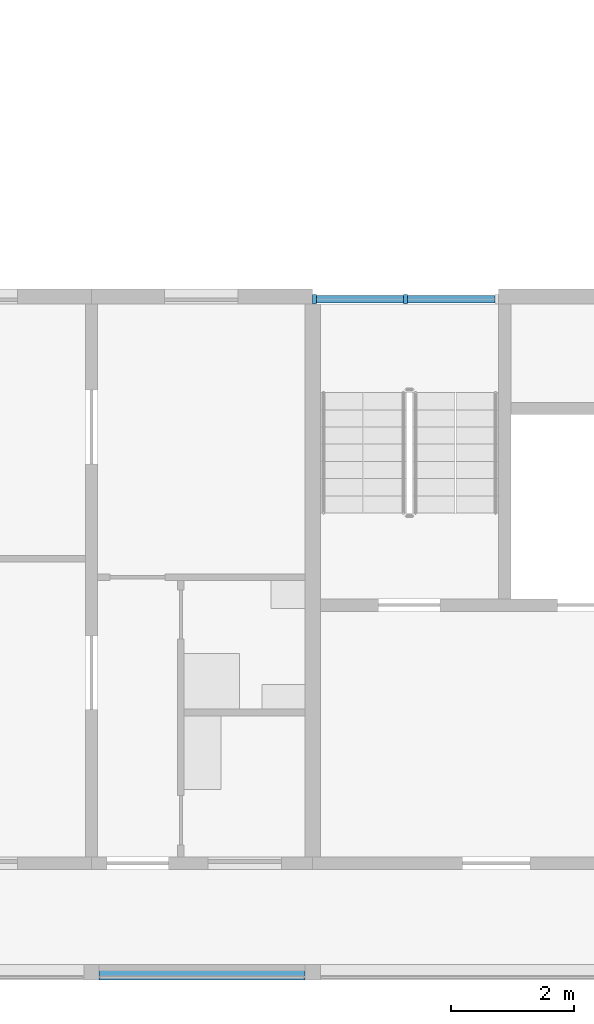
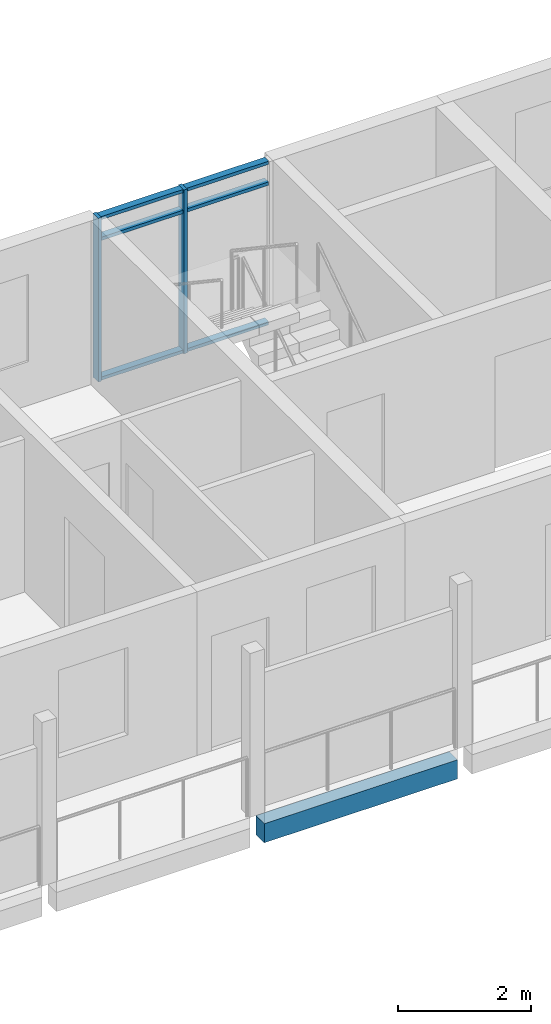
# One storey, part 7 of 94: 8 members, 1 beam, 1 element without a shape of its own.
"""IFC4 building model written with IfcOpenShell, lengths in metres."""

from ifc_helpers import new_model, si_unit, direction, frame, origin, origin_2d, place, context, subcontext, project, spatial, rectangle, extrude, material, material_profile, profile_set, type_object, element, aggregate, save


model = new_model("IFC4")

# Units and contexts
model_context = context("Model", 3, precision=1e-05, world=origin(), true_north=direction((0.0, 1.0)))
body_context = subcontext(model_context, "Body", "Model", "MODEL_VIEW")
ifc_project = project(units=[si_unit("LENGTHUNIT", "METRE"), si_unit("AREAUNIT", "SQUARE_METRE"), si_unit("VOLUMEUNIT", "CUBIC_METRE"), si_unit("PLANEANGLEUNIT", "RADIAN"), si_unit("MASSUNIT", "GRAM", prefix="KILO")], contexts=[model_context])

# Site, building, storey
site_placement = place(None, origin())
site = spatial("IfcSite", under=ifc_project, at=site_placement, CompositionType="ELEMENT")
building_placement = place(site_placement, origin())
building = spatial("IfcBuilding", under=site, at=building_placement, Name="Ridgestep Commons", CompositionType="ELEMENT")
storey_placement = place(building_placement, frame((0.0, 0.0, 21.0)))
storey = spatial("IfcBuildingStorey", under=building, at=storey_placement, Name="L07", CompositionType="ELEMENT", Elevation=21.0)

# Beam
ifc_material_1 = material(Name="Precast concrete C40/50", Category="concrete")
ifc_material_profile_1 = material_profile(ifc_material_1, rectangle(XDim=0.25, YDim=0.35009765625, at=origin_2d()), Name="PC 250x350")
ifc_profile_set_1 = profile_set([ifc_material_profile_1], Name="Precast concrete C40/50")
beam_type = type_object("IfcBeamType", Name="Loggia edge beam 250 x 350", PredefinedType="SPANDREL", material=ifc_profile_set_1)
beam_placement = place(storey_placement, frame((69.72509765625, 11.875, -0.375), z_axis=(1.0, 0.0, 0.0), x_axis=(0.0, 1.0, 0.0)))
element("IfcBeam", 1, at=beam_placement, inside=storey, type_object=beam_type, Name="Loggia edge beam A4T3 L07", PredefinedType="SPANDREL", context=body_context, shape_type="SweptSolid", body=[
    extrude(rectangle(XDim=0.25, YDim=0.35009765625, at=origin_2d()), origin(), (0.0, 0.0, 1.0), 3.349853515625),
])

# Curtain wall, members
ifc_material_2 = material(Name="Aluminium 6063-T6 and glass", Category="aluminium")
curtain_wall_type = type_object("IfcCurtainWallType", Name="Curtain wall stair strip", PredefinedType="NOTDEFINED", material=ifc_material_2)
curtain_wall_placement = place(storey_placement, origin())
curtain_wall = element("IfcCurtainWall", 2, at=curtain_wall_placement, inside=storey, type_object=curtain_wall_type, Name="Curtain wall A4C level 07", PredefinedType="NOTDEFINED")
ifc_material_3 = material(Name="Aluminium 6063-T6", Category="aluminium")
ifc_material_profile_2 = material_profile(ifc_material_3, rectangle(XDim=0.159912109375, YDim=0.06005859375, at=origin_2d()), Name="Mullion 60 x 160")
ifc_profile_set_2 = profile_set([ifc_material_profile_2], Name="Aluminium 6063-T6")
member_type_1 = type_object("IfcMemberType", Name="Mullion 60 x 160", PredefinedType="MULLION", material=ifc_profile_set_2)
member_1_placement = place(storey_placement, frame((73.22998046875, 22.830078125, 0.0), z_axis=(0.0, 0.0, 1.0), x_axis=(0.0, 1.0, 0.0)))
member_1 = element("IfcMember", 3, at=member_1_placement, type_object=member_type_1, Name="CW1 mullion 1", PredefinedType="MULLION", context=body_context, shape_type="SweptSolid", body=[
    extrude(rectangle(XDim=0.159912109375, YDim=0.06005859375, at=origin_2d()), origin(), (0.0, 0.0, 1.0), 3.0),
])
member_2_placement = place(storey_placement, frame((74.71240234375, 22.830078125, 0.0), z_axis=(0.0, 0.0, 1.0), x_axis=(0.0, 1.0, 0.0)))
member_2 = element("IfcMember", 4, at=member_2_placement, type_object=member_type_1, Name="CW1 mullion 2", PredefinedType="MULLION", context=body_context, shape_type="SweptSolid", body=[
    extrude(rectangle(XDim=0.159912109375, YDim=0.06005859375, at=origin_2d()), origin(), (0.0, 0.0, 1.0), 3.0),
])
ifc_material_4 = material(Name="Aluminium 6063-T6", Category="aluminium")
ifc_material_profile_3 = material_profile(ifc_material_4, rectangle(XDim=0.1201171875, YDim=0.06005859375, at=origin_2d()), Name="Transom 60 x 120")
ifc_profile_set_3 = profile_set([ifc_material_profile_3], Name="Aluminium 6063-T6")
member_type_2 = type_object("IfcMemberType", Name="Transom 60 x 120", PredefinedType="USERDEFINED", material=ifc_profile_set_3)
member_3_placement = place(storey_placement, frame((73.260009765625, 22.830078125, 0.030029296875), z_axis=(1.0, 0.0, 0.0), x_axis=(0.0, 1.0, 0.0)))
member_3 = element("IfcMember", 5, at=member_3_placement, type_object=member_type_2, Name="CW1 transom 1.1", ObjectType="TRANSOM", PredefinedType="USERDEFINED", context=body_context, shape_type="SweptSolid", body=[
    extrude(rectangle(XDim=0.1201171875, YDim=0.06005859375, at=origin_2d()), origin(), (0.0, 0.0, 1.0), 1.422607421875),
])
member_4_placement = place(storey_placement, frame((73.260009765625, 22.830078125, 2.590087890625), z_axis=(1.0, 0.0, 0.0), x_axis=(0.0, 1.0, 0.0)))
member_4 = element("IfcMember", 6, at=member_4_placement, type_object=member_type_2, Name="CW1 transom 1.2", ObjectType="TRANSOM", PredefinedType="USERDEFINED", context=body_context, shape_type="SweptSolid", body=[
    extrude(rectangle(XDim=0.1201171875, YDim=0.06005859375, at=origin_2d()), origin(), (0.0, 0.0, 1.0), 1.422607421875),
])
member_5_placement = place(storey_placement, frame((73.260009765625, 22.830078125, 2.969970703125), z_axis=(1.0, 0.0, 0.0), x_axis=(0.0, 1.0, 0.0)))
member_5 = element("IfcMember", 7, at=member_5_placement, type_object=member_type_2, Name="CW1 transom 1.3", ObjectType="TRANSOM", PredefinedType="USERDEFINED", context=body_context, shape_type="SweptSolid", body=[
    extrude(rectangle(XDim=0.1201171875, YDim=0.06005859375, at=origin_2d()), origin(), (0.0, 0.0, 1.0), 1.422607421875),
])
member_6_placement = place(storey_placement, frame((74.742431640625, 22.830078125, 0.030029296875), z_axis=(1.0, 0.0, 0.0), x_axis=(0.0, 1.0, 0.0)))
member_6 = element("IfcMember", 8, at=member_6_placement, type_object=member_type_2, Name="CW1 transom 2.1", ObjectType="TRANSOM", PredefinedType="USERDEFINED", context=body_context, shape_type="SweptSolid", body=[
    extrude(rectangle(XDim=0.1201171875, YDim=0.06005859375, at=origin_2d()), origin(), (0.0, 0.0, 1.0), 1.422607421875),
])
member_7_placement = place(storey_placement, frame((74.742431640625, 22.830078125, 2.590087890625), z_axis=(1.0, 0.0, 0.0), x_axis=(0.0, 1.0, 0.0)))
member_7 = element("IfcMember", 9, at=member_7_placement, type_object=member_type_2, Name="CW1 transom 2.2", ObjectType="TRANSOM", PredefinedType="USERDEFINED", context=body_context, shape_type="SweptSolid", body=[
    extrude(rectangle(XDim=0.1201171875, YDim=0.06005859375, at=origin_2d()), origin(), (0.0, 0.0, 1.0), 1.422607421875),
])
member_8_placement = place(storey_placement, frame((74.742431640625, 22.830078125, 2.969970703125), z_axis=(1.0, 0.0, 0.0), x_axis=(0.0, 1.0, 0.0)))
member_8 = element("IfcMember", 10, at=member_8_placement, type_object=member_type_2, Name="CW1 transom 2.3", ObjectType="TRANSOM", PredefinedType="USERDEFINED", context=body_context, shape_type="SweptSolid", body=[
    extrude(rectangle(XDim=0.1201171875, YDim=0.06005859375, at=origin_2d()), origin(), (0.0, 0.0, 1.0), 1.422607421875),
])
aggregate(curtain_wall, [member_1, member_2, member_3, member_4, member_5, member_6, member_7, member_8])

save(model, "model.ifc")
